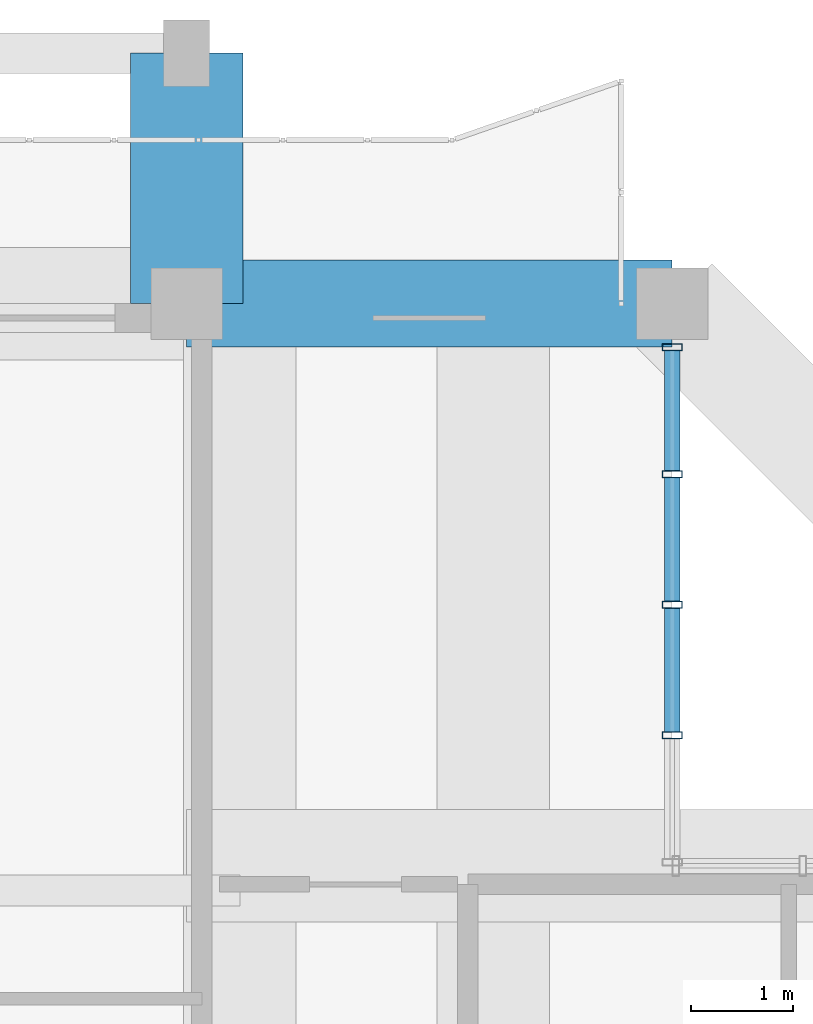
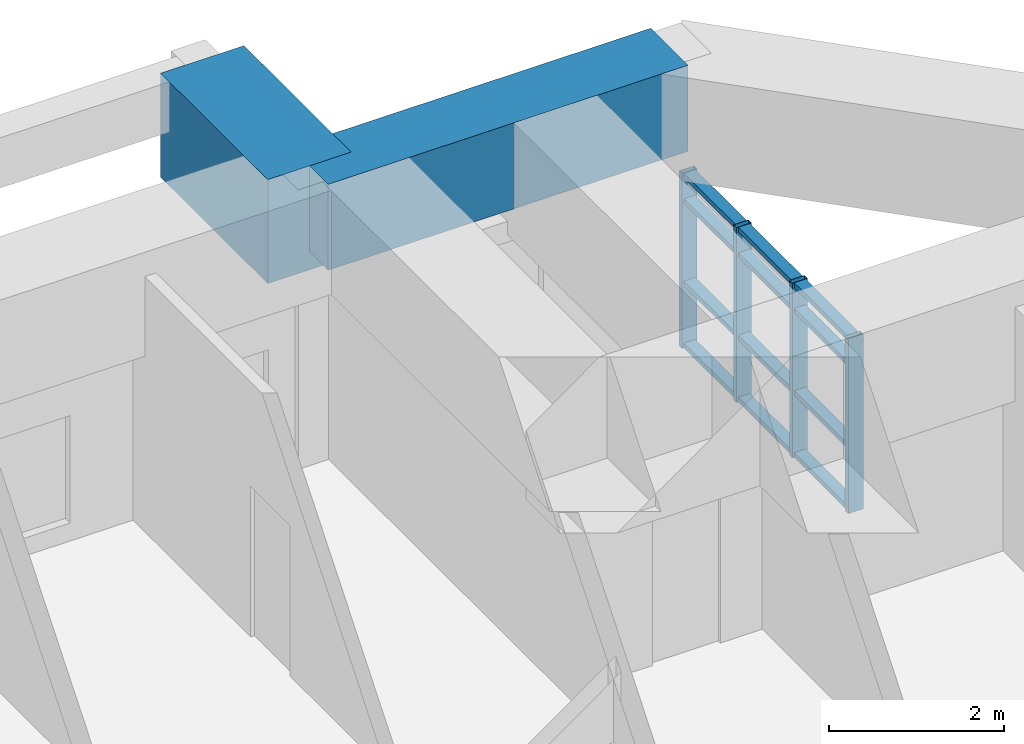
# One storey, part 12 of 27: 16 members, 2 beams, 1 element without a shape of its own.
"""IFC4 building model written with IfcOpenShell, lengths in metres."""

from ifc_helpers import new_model, si_unit, direction, frame, origin, origin_2d, place, context, subcontext, project, spatial, rectangle, hollow_rectangle, extrude, source, transform, mapped, material, layer, layer_set, material_profile, profile_set, type_object, element, aggregate, save


model = new_model("IFC4")

# Units and contexts
model_context = context("Model", 3, precision=1e-05, world=origin(), true_north=direction((0.0, 1.0)))
body_context = subcontext(model_context, "Body", "Model", "MODEL_VIEW")
ifc_project = project(units=[si_unit("LENGTHUNIT", "METRE"), si_unit("AREAUNIT", "SQUARE_METRE"), si_unit("VOLUMEUNIT", "CUBIC_METRE"), si_unit("PLANEANGLEUNIT", "RADIAN"), si_unit("MASSUNIT", "GRAM", prefix="KILO")], contexts=[model_context])

# Site, building, storey
site_placement = place(None, origin())
site = spatial("IfcSite", under=ifc_project, at=site_placement, CompositionType="ELEMENT")
building_placement = place(site_placement, origin())
building = spatial("IfcBuilding", under=site, at=building_placement, Name="Saelheon Loggia Tower", CompositionType="ELEMENT")
storey_placement = place(building_placement, frame((0.0, 0.0, 236.10009765625)))
storey = spatial("IfcBuildingStorey", under=building, at=storey_placement, Name="L73", CompositionType="ELEMENT", Elevation=236.10009765625)

# Beams
ifc_material_1 = material(Name="Concrete C50/60", Category="concrete")
ifc_material_profile_1 = material_profile(ifc_material_1, rectangle(XDim=1.10009765625, YDim=1.449951171875, at=origin_2d()), Name="RC-1100x1450")
ifc_profile_set_1 = profile_set([ifc_material_profile_1], Name="Concrete C50/60")
beam_type_1 = type_object("IfcBeamType", Name="Beam_PerimTransfer_RC1100x1450", PredefinedType="BEAM", material=ifc_profile_set_1)
shared_shape_1 = source(origin(), body_context, "Body", "SweptSolid", [
    extrude(rectangle(XDim=1.10009765625, YDim=1.449951171875, at=origin_2d()), origin(), (0.0, 0.0, 1.0), 2.449951171875),
])
beam_1_placement = place(storey_placement, frame((44.5, 48.0, 3.1748046875), z_axis=(0.0, 1.0, 0.0), x_axis=(-1.0, 0.0, 0.0)))
element("IfcBeam", 1, at=beam_1_placement, inside=storey, type_object=beam_type_1, Name="L73 Loggia Frame Tie Beam LP-N2", PredefinedType="BEAM", context=body_context, shape_type="MappedRepresentation", body=[
    mapped(shared_shape_1, transform((0.0, 0.0, 0.0), scale=1.0)),
])
ifc_material_profile_2 = material_profile(ifc_material_1, rectangle(XDim=0.85009765625, YDim=1.199951171875, at=origin_2d()), Name="RC-850x1200")
ifc_profile_set_2 = profile_set([ifc_material_profile_2], Name="Concrete C50/60")
beam_type_2 = type_object("IfcBeamType", Name="Beam_CornerShoulder_RC850x1200", PredefinedType="BEAM", material=ifc_profile_set_2)
shared_shape_2 = source(origin(), body_context, "Body", "SweptSolid", [
    extrude(rectangle(XDim=0.85009765625, YDim=1.199951171875, at=origin_2d()), origin(), (0.0, 0.0, 1.0), 4.75),
])
beam_2_placement = place(storey_placement, frame((49.25, 48.0, 3.2998046875), z_axis=(-1.0, 0.0, 0.0), x_axis=(0.0, -1.0, 0.0)))
element("IfcBeam", 2, at=beam_2_placement, inside=storey, type_object=beam_type_2, Name="L73 Corner Shoulder Beam 09", PredefinedType="BEAM", context=body_context, shape_type="MappedRepresentation", body=[
    mapped(shared_shape_2, transform((0.0, 0.0, 0.0), scale=1.0)),
])

# Curtain wall, members
ifc_material_2 = material(Name="High-Wind Aluminium and Triple Laminated Glass", Category="aluminium")
ifc_layer = layer(ifc_material_2, 0.179931640625)
ifc_layer_set = layer_set([ifc_layer], Name="High-Wind Aluminium and Triple Laminated Glass")
curtain_wall_type = type_object("IfcCurtainWallType", Name="CW_TowerLoggiaHigh", PredefinedType="NOTDEFINED", material=ifc_layer_set)
curtain_wall_placement = place(storey_placement, origin())
curtain_wall = element("IfcCurtainWall", 3, at=curtain_wall_placement, inside=storey, type_object=curtain_wall_type, Name="L73 Corner Notch Glazing NE1", PredefinedType="NOTDEFINED")
ifc_material_3 = material(Name="Anodised Aluminium 6063-T6", Category="aluminium")
ifc_material_profile_3 = material_profile(ifc_material_3, hollow_rectangle(XDim=0.070068359375, YDim=0.199951171875, WallThickness=0.0048828125, at=origin_2d()), Name="RHS-200x70x5")
ifc_profile_set_3 = profile_set([ifc_material_profile_3], Name="Anodised Aluminium 6063-T6")
member_type_1 = type_object("IfcMemberType", Name="CW_TowerLoggiaHigh_Mullion", PredefinedType="MULLION", material=ifc_profile_set_3)
shared_shape_3 = source(origin(), body_context, "Body", "SweptSolid", [
    extrude(hollow_rectangle(XDim=0.070068359375, YDim=0.199951171875, WallThickness=0.0048828125, at=origin_2d()), origin(), (0.0, 0.0, 1.0), 2.43994140625),
])
member_1_placement = place(storey_placement, frame((49.25, 43.777587890625, 0.0), z_axis=(0.0, 0.0, 1.0), x_axis=(0.0, 1.0, 0.0)))
member_1 = element("IfcMember", 4, at=member_1_placement, type_object=member_type_1, Name="CW4 mullion 2", PredefinedType="MULLION", context=body_context, shape_type="MappedRepresentation", body=[
    mapped(shared_shape_3, transform((0.0, 0.0, 0.0), scale=1.0)),
])
member_2_placement = place(storey_placement, frame((49.25, 45.054931640625, 0.0), z_axis=(0.0, 0.0, 1.0), x_axis=(0.0, 1.0, 0.0)))
member_2 = element("IfcMember", 5, at=member_2_placement, type_object=member_type_1, Name="CW4 mullion 3", PredefinedType="MULLION", context=body_context, shape_type="MappedRepresentation", body=[
    mapped(shared_shape_3, transform((0.0, 0.0, 0.0), scale=1.0)),
])
member_3_placement = place(storey_placement, frame((49.25, 46.33251953125, 0.0), z_axis=(0.0, 0.0, 1.0), x_axis=(0.0, 1.0, 0.0)))
member_3 = element("IfcMember", 6, at=member_3_placement, type_object=member_type_1, Name="CW4 mullion 4", PredefinedType="MULLION", context=body_context, shape_type="MappedRepresentation", body=[
    mapped(shared_shape_3, transform((0.0, 0.0, 0.0), scale=1.0)),
])
member_4_placement = place(storey_placement, frame((49.25, 47.574951171875, 0.0), z_axis=(0.0, 0.0, 1.0), x_axis=(0.0, 1.0, 0.0)))
member_4 = element("IfcMember", 7, at=member_4_placement, type_object=member_type_1, Name="CW4 mullion 5", PredefinedType="MULLION", context=body_context, shape_type="MappedRepresentation", body=[
    mapped(shared_shape_3, transform((0.0, 0.0, 0.0), scale=1.0)),
])
ifc_material_profile_4 = material_profile(ifc_material_3, hollow_rectangle(XDim=0.070068359375, YDim=0.14990234375, WallThickness=0.0048828125, at=origin_2d()), Name="RHS-150x70x5")
ifc_profile_set_4 = profile_set([ifc_material_profile_4], Name="Anodised Aluminium 6063-T6")
member_type_2 = type_object("IfcMemberType", Name="CW_TowerLoggiaHigh_Transom", PredefinedType="USERDEFINED", material=ifc_profile_set_4)
shared_shape_4 = source(origin(), body_context, "Body", "SweptSolid", [
    extrude(hollow_rectangle(XDim=0.070068359375, YDim=0.14990234375, WallThickness=0.0048828125, at=origin_2d()), origin(), (0.0, 0.0, 1.0), 1.172607421875),
])
member_5_placement = place(storey_placement, frame((49.25, 46.367431640625, 0.034912109375), z_axis=(0.0, 1.0, 0.0), x_axis=(0.0, 0.0, 1.0)))
member_5 = element("IfcMember", 8, at=member_5_placement, type_object=member_type_2, Name="CW4 transom 4.1", ObjectType="TRANSOM", PredefinedType="USERDEFINED", context=body_context, shape_type="MappedRepresentation", body=[
    mapped(shared_shape_4, transform((0.0, 0.0, 0.0), scale=1.0)),
])
member_6_placement = place(storey_placement, frame((49.25, 46.367431640625, 0.89990234375), z_axis=(0.0, 1.0, 0.0), x_axis=(0.0, 0.0, 1.0)))
member_6 = element("IfcMember", 9, at=member_6_placement, type_object=member_type_2, Name="CW4 transom 4.2", ObjectType="TRANSOM", PredefinedType="USERDEFINED", context=body_context, shape_type="MappedRepresentation", body=[
    mapped(shared_shape_4, transform((0.0, 0.0, 0.0), scale=1.0)),
])
member_7_placement = place(storey_placement, frame((49.25, 46.367431640625, 2.0498046875), z_axis=(0.0, 1.0, 0.0), x_axis=(0.0, 0.0, 1.0)))
member_7 = element("IfcMember", 10, at=member_7_placement, type_object=member_type_2, Name="CW4 transom 4.3", ObjectType="TRANSOM", PredefinedType="USERDEFINED", context=body_context, shape_type="MappedRepresentation", body=[
    mapped(shared_shape_4, transform((0.0, 0.0, 0.0), scale=1.0)),
])
member_8_placement = place(storey_placement, frame((49.25, 46.367431640625, 2.40478515625), z_axis=(0.0, 1.0, 0.0), x_axis=(0.0, 0.0, 1.0)))
member_8 = element("IfcMember", 11, at=member_8_placement, type_object=member_type_2, Name="CW4 transom 4.4", ObjectType="TRANSOM", PredefinedType="USERDEFINED", context=body_context, shape_type="MappedRepresentation", body=[
    mapped(shared_shape_4, transform((0.0, 0.0, 0.0), scale=1.0)),
])
shared_shape_5 = source(origin(), body_context, "Body", "SweptSolid", [
    extrude(hollow_rectangle(XDim=0.070068359375, YDim=0.14990234375, WallThickness=0.0048828125, at=origin_2d()), origin(), (0.0, 0.0, 1.0), 1.20751953125),
])
member_9_placement = place(storey_placement, frame((49.25, 43.8125, 0.034912109375), z_axis=(0.0, 1.0, 0.0), x_axis=(0.0, 0.0, 1.0)))
member_9 = element("IfcMember", 12, at=member_9_placement, type_object=member_type_2, Name="CW4 transom 2.1", ObjectType="TRANSOM", PredefinedType="USERDEFINED", context=body_context, shape_type="MappedRepresentation", body=[
    mapped(shared_shape_5, transform((0.0, 0.0, 0.0), scale=1.0)),
])
member_10_placement = place(storey_placement, frame((49.25, 43.8125, 0.89990234375), z_axis=(0.0, 1.0, 0.0), x_axis=(0.0, 0.0, 1.0)))
member_10 = element("IfcMember", 13, at=member_10_placement, type_object=member_type_2, Name="CW4 transom 2.2", ObjectType="TRANSOM", PredefinedType="USERDEFINED", context=body_context, shape_type="MappedRepresentation", body=[
    mapped(shared_shape_5, transform((0.0, 0.0, 0.0), scale=1.0)),
])
member_11_placement = place(storey_placement, frame((49.25, 43.8125, 2.0498046875), z_axis=(0.0, 1.0, 0.0), x_axis=(0.0, 0.0, 1.0)))
member_11 = element("IfcMember", 14, at=member_11_placement, type_object=member_type_2, Name="CW4 transom 2.3", ObjectType="TRANSOM", PredefinedType="USERDEFINED", context=body_context, shape_type="MappedRepresentation", body=[
    mapped(shared_shape_5, transform((0.0, 0.0, 0.0), scale=1.0)),
])
member_12_placement = place(storey_placement, frame((49.25, 43.8125, 2.40478515625), z_axis=(0.0, 1.0, 0.0), x_axis=(0.0, 0.0, 1.0)))
member_12 = element("IfcMember", 15, at=member_12_placement, type_object=member_type_2, Name="CW4 transom 2.4", ObjectType="TRANSOM", PredefinedType="USERDEFINED", context=body_context, shape_type="MappedRepresentation", body=[
    mapped(shared_shape_5, transform((0.0, 0.0, 0.0), scale=1.0)),
])
member_13_placement = place(storey_placement, frame((49.25, 45.090087890625, 0.034912109375), z_axis=(0.0, 1.0, 0.0), x_axis=(0.0, 0.0, 1.0)))
member_13 = element("IfcMember", 16, at=member_13_placement, type_object=member_type_2, Name="CW4 transom 3.1", ObjectType="TRANSOM", PredefinedType="USERDEFINED", context=body_context, shape_type="MappedRepresentation", body=[
    mapped(shared_shape_5, transform((0.0, 0.0, 0.0), scale=1.0)),
])
member_14_placement = place(storey_placement, frame((49.25, 45.090087890625, 0.89990234375), z_axis=(0.0, 1.0, 0.0), x_axis=(0.0, 0.0, 1.0)))
member_14 = element("IfcMember", 17, at=member_14_placement, type_object=member_type_2, Name="CW4 transom 3.2", ObjectType="TRANSOM", PredefinedType="USERDEFINED", context=body_context, shape_type="MappedRepresentation", body=[
    mapped(shared_shape_5, transform((0.0, 0.0, 0.0), scale=1.0)),
])
member_15_placement = place(storey_placement, frame((49.25, 45.090087890625, 2.0498046875), z_axis=(0.0, 1.0, 0.0), x_axis=(0.0, 0.0, 1.0)))
member_15 = element("IfcMember", 18, at=member_15_placement, type_object=member_type_2, Name="CW4 transom 3.3", ObjectType="TRANSOM", PredefinedType="USERDEFINED", context=body_context, shape_type="MappedRepresentation", body=[
    mapped(shared_shape_5, transform((0.0, 0.0, 0.0), scale=1.0)),
])
member_16_placement = place(storey_placement, frame((49.25, 45.090087890625, 2.40478515625), z_axis=(0.0, 1.0, 0.0), x_axis=(0.0, 0.0, 1.0)))
member_16 = element("IfcMember", 19, at=member_16_placement, type_object=member_type_2, Name="CW4 transom 3.4", ObjectType="TRANSOM", PredefinedType="USERDEFINED", context=body_context, shape_type="MappedRepresentation", body=[
    mapped(shared_shape_5, transform((0.0, 0.0, 0.0), scale=1.0)),
])
aggregate(curtain_wall, [member_1, member_2, member_3, member_4, member_9, member_10, member_11, member_12, member_13, member_14, member_15, member_16, member_5, member_6, member_7, member_8])

save(model, "model.ifc")
